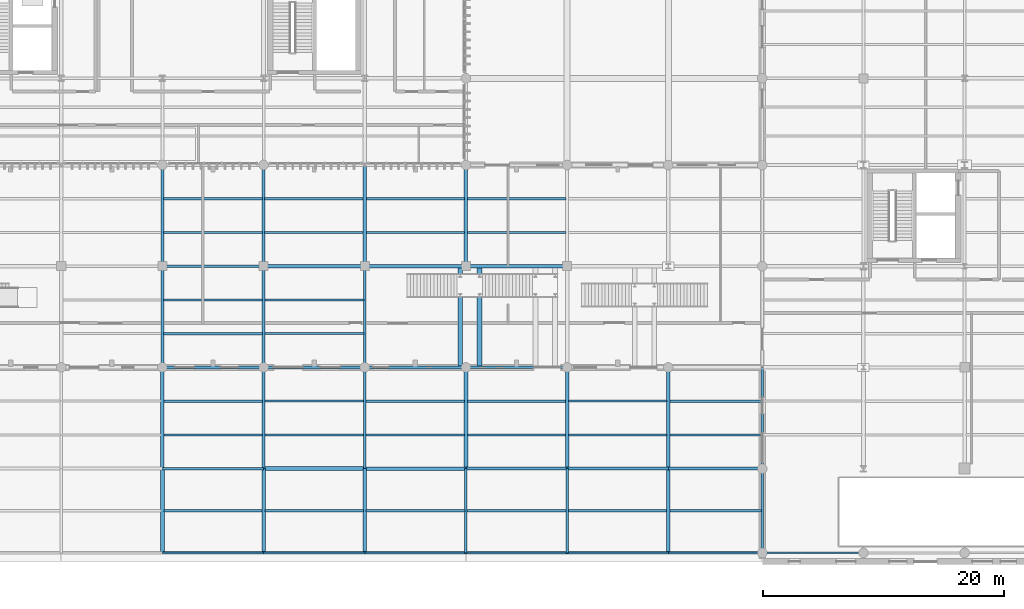
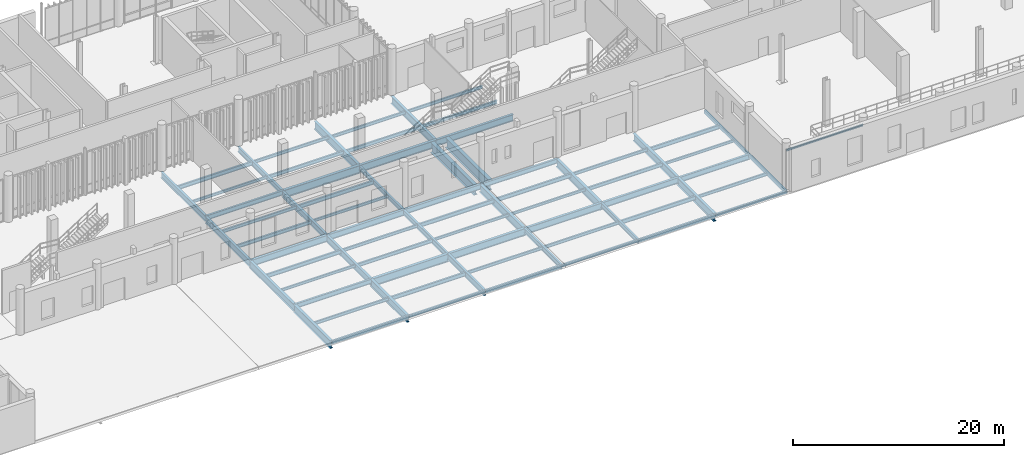
# One storey, part 42 of 112: 74 beams.
"""IFC4 building model written with IfcOpenShell, lengths in metres."""

from ifc_helpers import new_model, si_unit, direction, frame, origin_with_axes, origin_2d_with_axis, place, context, subcontext, project, spatial, hollow_rectangle, i_section, extrude, material, material_profile, profile_set, type_object, element, save


model = new_model("IFC4")

# Units and contexts
model_context = context("Model", 3, precision=1e-05, world=origin_with_axes(), true_north=direction((0.0, 1.0)))
body_context = subcontext(model_context, "Body", "Model", "MODEL_VIEW")
ifc_project = project(units=[si_unit("LENGTHUNIT", "METRE"), si_unit("AREAUNIT", "SQUARE_METRE"), si_unit("VOLUMEUNIT", "CUBIC_METRE"), si_unit("PLANEANGLEUNIT", "RADIAN"), si_unit("MASSUNIT", "GRAM", prefix="KILO"), si_unit("THERMODYNAMICTEMPERATUREUNIT", "KELVIN")], contexts=[model_context])

# Site, building, storey
site_placement = place(None, origin_with_axes())
site = spatial("IfcSite", under=ifc_project, at=site_placement, CompositionType="ELEMENT")
building_placement = place(site_placement, origin_with_axes())
building = spatial("IfcBuilding", under=site, at=building_placement, Name="Montbau Bow Law Courts", CompositionType="ELEMENT")
storey_placement = place(building_placement, origin_with_axes())
storey = spatial("IfcBuildingStorey", under=building, at=storey_placement, Name="L00", CompositionType="ELEMENT", Elevation=0.0)

# Beams
ifc_material_1 = material(Name="Steel CSA G40.21 Grade 350W (350 MPa)", Category="steel")
ifc_material_profile_1 = material_profile(ifc_material_1, i_section(OverallWidth=0.306, OverallDepth=0.919, WebThickness=0.0173, FlangeThickness=0.0279, at=origin_2d_with_axis()), Name="W920X253", Category="Main", Priority=0)
ifc_profile_set_1 = profile_set([ifc_material_profile_1], Name="Steel CSA G40.21 Grade 350W (350 MPa)")
beam_type_1 = type_object("IfcBeamType", Name="B-FLR-01", PredefinedType="BEAM", material=ifc_profile_set_1)
for number, where, z_axis, x_axis, name in (
    (1, (80.4, 13.8, -0.75), (1.0, 0.0, 0.0), (0.0, 1.0, 0.0), "BM-L00-S0150:bm2_0153"),
    (2, (80.4, 30.6, -0.7), (1.0, 0.0, 0.0), (0.0, 1.0, 0.0), "BM-L00-S0178:bm2_0181"),
):
    element("IfcBeam", number, at=place(None, frame(where, z_axis=z_axis, x_axis=x_axis)), inside=storey, type_object=beam_type_1, Name=name, PredefinedType="BEAM", context=body_context, shape_type="SweptSolid", body=[
        extrude(i_section(OverallWidth=0.306, OverallDepth=0.919, WebThickness=0.0173, FlangeThickness=0.0279, at=origin_2d_with_axis()), origin_with_axes(), (0.0, 0.0, 1.0), 8.4),
    ])
beam_1_placement = place(None, frame((72.0, 6.8, -0.75), z_axis=(0.0, 1.0, 0.0), x_axis=(-1.0, 0.0, 0.0)))
element("IfcBeam", 3, at=beam_1_placement, inside=storey, type_object=beam_type_1, Name="BM-L00-S0287:bm2_0290", PredefinedType="BEAM", context=body_context, shape_type="SweptSolid", body=[
    extrude(i_section(OverallWidth=0.306, OverallDepth=0.919, WebThickness=0.0173, FlangeThickness=0.0279, at=origin_2d_with_axis()), origin_with_axes(), (0.0, 0.0, 1.0), 7.0),
])
for number, where, z_axis, x_axis, name in (
    (4, (88.8, 30.6, -0.7), (0.0, 1.0, 0.0), (-1.0, 0.0, 0.0), "BM-L00-S0303:bm2_0306"),
    (5, (97.2, 13.8, -0.75), (0.0, 1.0, 0.0), (-1.0, 0.0, 0.0), "BM-L00-S0308:bm2_0311"),
    (6, (105.6, 13.8, -0.75), (0.0, 1.0, 0.0), (-1.0, 0.0, 0.0), "BM-L00-S0313:bm2_0316"),
):
    element("IfcBeam", number, at=place(None, frame(where, z_axis=z_axis, x_axis=x_axis)), inside=storey, type_object=beam_type_1, Name=name, PredefinedType="BEAM", context=body_context, shape_type="SweptSolid", body=[
        extrude(i_section(OverallWidth=0.306, OverallDepth=0.919, WebThickness=0.0173, FlangeThickness=0.0279, at=origin_2d_with_axis()), origin_with_axes(), (0.0, 0.0, 1.0), 8.4),
    ])
beam_2_placement = place(None, frame((114.0, 6.8, -0.75), z_axis=(0.0, 1.0, 0.0), x_axis=(-1.0, 0.0, 0.0)))
element("IfcBeam", 7, at=beam_2_placement, inside=storey, type_object=beam_type_1, Name="BM-L00-S0318:bm2_0321", PredefinedType="BEAM", context=body_context, shape_type="SweptSolid", body=[
    extrude(i_section(OverallWidth=0.306, OverallDepth=0.919, WebThickness=0.0173, FlangeThickness=0.0279, at=origin_2d_with_axis()), origin_with_axes(), (0.0, 0.0, 1.0), 7.0),
])
ifc_material_profile_2 = material_profile(ifc_material_1, i_section(OverallWidth=0.293, OverallDepth=0.846, WebThickness=0.0154, FlangeThickness=0.0244, at=origin_2d_with_axis()), Name="W840X210", Category="Main", Priority=0)
ifc_profile_set_2 = profile_set([ifc_material_profile_2], Name="Steel CSA G40.21 Grade 350W (350 MPa)")
beam_type_2 = type_object("IfcBeamType", Name="B-FLR-02", PredefinedType="BEAM", material=ifc_profile_set_2)
for number, where, z_axis, x_axis, name in (
    (8, (88.8, 13.8, -0.713), (1.0, 0.0, 0.0), (0.0, 1.0, 0.0), "BM-L00-S0151:bm2_0154"),
    (9, (88.8, 30.6, -0.663), (1.0, 0.0, 0.0), (0.0, 1.0, 0.0), "BM-L00-S0179:bm2_0182"),
    (10, (72.0, 13.8, -0.713), (0.0, 1.0, 0.0), (-1.0, 0.0, 0.0), "BM-L00-S0288:bm2_0291"),
):
    element("IfcBeam", number, at=place(None, frame(where, z_axis=z_axis, x_axis=x_axis)), inside=storey, type_object=beam_type_2, Name=name, PredefinedType="BEAM", context=body_context, shape_type="SweptSolid", body=[
        extrude(i_section(OverallWidth=0.293, OverallDepth=0.846, WebThickness=0.0154, FlangeThickness=0.0244, at=origin_2d_with_axis()), origin_with_axes(), (0.0, 0.0, 1.0), 8.4),
    ])
beam_3_placement = place(None, frame((80.4, 6.8, -0.713), z_axis=(0.0, 1.0, 0.0), x_axis=(-1.0, 0.0, 0.0)))
element("IfcBeam", 11, at=beam_3_placement, inside=storey, type_object=beam_type_2, Name="BM-L00-S0293:bm2_0296", PredefinedType="BEAM", context=body_context, shape_type="SweptSolid", body=[
    extrude(i_section(OverallWidth=0.293, OverallDepth=0.846, WebThickness=0.0154, FlangeThickness=0.0244, at=origin_2d_with_axis()), origin_with_axes(), (0.0, 0.0, 1.0), 7.0),
])
for number, where, z_axis, x_axis, name in (
    (12, (97.2, 30.6, -0.713), (0.0, 1.0, 0.0), (-1.0, 0.0, 0.0), "BM-L00-S0309:bm2_0312"),
    (13, (114.0, 13.8, -0.713), (0.0, 1.0, 0.0), (-1.0, 0.0, 0.0), "BM-L00-S0319:bm2_0322"),
):
    element("IfcBeam", number, at=place(None, frame(where, z_axis=z_axis, x_axis=x_axis)), inside=storey, type_object=beam_type_2, Name=name, PredefinedType="BEAM", context=body_context, shape_type="SweptSolid", body=[
        extrude(i_section(OverallWidth=0.293, OverallDepth=0.846, WebThickness=0.0154, FlangeThickness=0.0244, at=origin_2d_with_axis()), origin_with_axes(), (0.0, 0.0, 1.0), 8.4),
    ])
ifc_material_profile_3 = material_profile(ifc_material_1, i_section(OverallWidth=0.267, OverallDepth=0.766, WebThickness=0.0149, FlangeThickness=0.0236, at=origin_2d_with_axis()), Name="W760X185", Category="Main", Priority=0)
ifc_profile_set_3 = profile_set([ifc_material_profile_3], Name="Steel CSA G40.21 Grade 350W (350 MPa)")
beam_type_3 = type_object("IfcBeamType", Name="B-FLR-03", PredefinedType="BEAM", material=ifc_profile_set_3)
for number, where, z_axis, x_axis, name in (
    (14, (97.2, 13.8, -0.673), (1.0, 0.0, 0.0), (0.0, 1.0, 0.0), "BM-L00-S0152:bm2_0155"),
    (15, (72.0, 22.2, -0.673), (1.0, 0.0, 0.0), (0.0, 1.0, 0.0), "BM-L00-S0163:bm2_0166"),
    (16, (97.2, 30.6, -0.623), (1.0, 0.0, 0.0), (0.0, 1.0, 0.0), "BM-L00-S0180:bm2_0183"),
    (17, (72.0, 22.2, -0.673), (0.0, 1.0, 0.0), (-1.0, 0.0, 0.0), "BM-L00-S0289:bm2_0292"),
    (18, (80.4, 13.8, -0.673), (0.0, 1.0, 0.0), (-1.0, 0.0, 0.0), "BM-L00-S0294:bm2_0297"),
):
    element("IfcBeam", number, at=place(None, frame(where, z_axis=z_axis, x_axis=x_axis)), inside=storey, type_object=beam_type_3, Name=name, PredefinedType="BEAM", context=body_context, shape_type="SweptSolid", body=[
        extrude(i_section(OverallWidth=0.267, OverallDepth=0.766, WebThickness=0.0149, FlangeThickness=0.0236, at=origin_2d_with_axis()), origin_with_axes(), (0.0, 0.0, 1.0), 8.4),
    ])
ifc_material_profile_4 = material_profile(ifc_material_1, i_section(OverallWidth=0.254, OverallDepth=0.688, WebThickness=0.0131, FlangeThickness=0.0211, at=origin_2d_with_axis()), Name="W690X152", Category="Main", Priority=0)
ifc_profile_set_4 = profile_set([ifc_material_profile_4], Name="Steel CSA G40.21 Grade 350W (350 MPa)")
beam_type_4 = type_object("IfcBeamType", Name="B-FLR-04", PredefinedType="BEAM", material=ifc_profile_set_4)
for number, where, z_axis, x_axis, name in (
    (19, (105.6, 13.8, -0.634), (1.0, 0.0, 0.0), (0.0, 1.0, 0.0), "BM-L00-S0153:bm2_0156"),
    (20, (80.4, 22.2, -0.634), (1.0, 0.0, 0.0), (0.0, 1.0, 0.0), "BM-L00-S0164:bm2_0167"),
    (21, (72.0, 30.6, -0.584), (0.0, 1.0, 0.0), (-1.0, 0.0, 0.0), "BM-L00-S0290:bm2_0293"),
    (22, (80.4, 22.2, -0.634), (0.0, 1.0, 0.0), (-1.0, 0.0, 0.0), "BM-L00-S0295:bm2_0298"),
):
    element("IfcBeam", number, at=place(None, frame(where, z_axis=z_axis, x_axis=x_axis)), inside=storey, type_object=beam_type_4, Name=name, PredefinedType="BEAM", context=body_context, shape_type="SweptSolid", body=[
        extrude(i_section(OverallWidth=0.254, OverallDepth=0.688, WebThickness=0.0131, FlangeThickness=0.0211, at=origin_2d_with_axis()), origin_with_axes(), (0.0, 0.0, 1.0), 8.4),
    ])
beam_4_placement = place(None, frame((88.8, 6.8, -0.634), z_axis=(0.0, 1.0, 0.0), x_axis=(-1.0, 0.0, 0.0)))
element("IfcBeam", 23, at=beam_4_placement, inside=storey, type_object=beam_type_4, Name="BM-L00-S0300:bm2_0303", PredefinedType="BEAM", context=body_context, shape_type="SweptSolid", body=[
    extrude(i_section(OverallWidth=0.254, OverallDepth=0.688, WebThickness=0.0131, FlangeThickness=0.0211, at=origin_2d_with_axis()), origin_with_axes(), (0.0, 0.0, 1.0), 7.0),
])
ifc_material_profile_5 = material_profile(ifc_material_1, i_section(OverallWidth=0.229, OverallDepth=0.612, WebThickness=0.0119, FlangeThickness=0.0196, at=origin_2d_with_axis()), Name="W610X125", Category="Main", Priority=0)
ifc_profile_set_5 = profile_set([ifc_material_profile_5], Name="Steel CSA G40.21 Grade 350W (350 MPa)")
beam_type_5 = type_object("IfcBeamType", Name="B-FLR-05", PredefinedType="BEAM", material=ifc_profile_set_5)
beam_5_placement = place(None, frame((114.0, 13.8, -0.646), z_axis=(1.0, 0.0, 0.0), x_axis=(0.0, 1.0, 0.0)))
element("IfcBeam", 24, at=beam_5_placement, inside=storey, type_object=beam_type_5, Name="BM-L00-S0154:bm2_0157", PredefinedType="BEAM", context=body_context, shape_type="SweptSolid", body=[
    extrude(i_section(OverallWidth=0.229, OverallDepth=0.612, WebThickness=0.0119, FlangeThickness=0.0196, at=origin_2d_with_axis()), origin_with_axes(), (0.0, 0.0, 1.0), 7.8),
])
for number, where, z_axis, x_axis, name in (
    (25, (88.8, 22.2, -0.596), (1.0, 0.0, 0.0), (0.0, 1.0, 0.0), "BM-L00-S0165:bm2_0168"),
    (26, (80.4, 30.6, -0.546), (0.0, 1.0, 0.0), (-1.0, 0.0, 0.0), "BM-L00-S0296:bm2_0299"),
    (27, (88.8, 13.8, -0.596), (0.0, 1.0, 0.0), (-1.0, 0.0, 0.0), "BM-L00-S0301:bm2_0304"),
):
    element("IfcBeam", number, at=place(None, frame(where, z_axis=z_axis, x_axis=x_axis)), inside=storey, type_object=beam_type_5, Name=name, PredefinedType="BEAM", context=body_context, shape_type="SweptSolid", body=[
        extrude(i_section(OverallWidth=0.229, OverallDepth=0.612, WebThickness=0.0119, FlangeThickness=0.0196, at=origin_2d_with_axis()), origin_with_axes(), (0.0, 0.0, 1.0), 8.4),
    ])
ifc_material_profile_6 = material_profile(ifc_material_1, i_section(OverallWidth=0.21, OverallDepth=0.537, WebThickness=0.0109, FlangeThickness=0.0174, at=origin_2d_with_axis()), Name="W530X101", Category="Main", Priority=0)
ifc_profile_set_6 = profile_set([ifc_material_profile_6], Name="Steel CSA G40.21 Grade 350W (350 MPa)")
beam_type_6 = type_object("IfcBeamType", Name="B-FLR-06", PredefinedType="BEAM", material=ifc_profile_set_6)
for number, where, z_axis, x_axis, name in (
    (28, (72.0, 13.8, -0.558), (1.0, 0.0, 0.0), (0.0, 1.0, 0.0), "BM-L00-S0149:bm2_0152"),
    (29, (97.2, 22.2, -0.558), (1.0, 0.0, 0.0), (0.0, 1.0, 0.0), "BM-L00-S0166:bm2_0169"),
    (30, (72.0, 30.6, -0.508), (1.0, 0.0, 0.0), (0.0, 1.0, 0.0), "BM-L00-S0177:bm2_0180"),
    (31, (88.8, 22.2, -0.558), (0.0, 1.0, 0.0), (-1.0, 0.0, 0.0), "BM-L00-S0302:bm2_0305"),
):
    element("IfcBeam", number, at=place(None, frame(where, z_axis=z_axis, x_axis=x_axis)), inside=storey, type_object=beam_type_6, Name=name, PredefinedType="BEAM", context=body_context, shape_type="SweptSolid", body=[
        extrude(i_section(OverallWidth=0.21, OverallDepth=0.537, WebThickness=0.0109, FlangeThickness=0.0174, at=origin_2d_with_axis()), origin_with_axes(), (0.0, 0.0, 1.0), 8.4),
    ])
for number, where, z_axis, x_axis, name in (
    (32, (97.2, 6.8, -0.558), (0.0, 1.0, 0.0), (-1.0, 0.0, 0.0), "BM-L00-S0307:bm2_0310"),
    (33, (105.6, 6.8, -0.558), (0.0, 1.0, 0.0), (-1.0, 0.0, 0.0), "BM-L00-S0312:bm2_0315"),
):
    element("IfcBeam", number, at=place(None, frame(where, z_axis=z_axis, x_axis=x_axis)), inside=storey, type_object=beam_type_6, Name=name, PredefinedType="BEAM", context=body_context, shape_type="SweptSolid", body=[
        extrude(i_section(OverallWidth=0.21, OverallDepth=0.537, WebThickness=0.0109, FlangeThickness=0.0174, at=origin_2d_with_axis()), origin_with_axes(), (0.0, 0.0, 1.0), 7.0),
    ])
ifc_material_profile_7 = material_profile(ifc_material_1, i_section(OverallWidth=0.191, OverallDepth=0.46, WebThickness=0.0099, FlangeThickness=0.016, at=origin_2d_with_axis()), Name="W460X82", Category="Main", Priority=0)
ifc_profile_set_7 = profile_set([ifc_material_profile_7], Name="Steel CSA G40.21 Grade 350W (350 MPa)")
beam_type_7 = type_object("IfcBeamType", Name="B-JST-01", PredefinedType="JOIST", material=ifc_profile_set_7)
beam_6_placement = place(None, frame((72.123, 19.4, -0.52), z_axis=(1.0, 0.0, 0.0), x_axis=(0.0, 1.0, 0.0)))
element("IfcBeam", 34, at=beam_6_placement, inside=storey, type_object=beam_type_7, Name="JST-L00-S0072:jst2_0072", PredefinedType="JOIST", context=body_context, shape_type="SweptSolid", body=[
    extrude(i_section(OverallWidth=0.191, OverallDepth=0.46, WebThickness=0.0099, FlangeThickness=0.016, at=origin_2d_with_axis()), origin_with_axes(), (0.0, 0.0, 1.0), 8.168),
])
beam_7_placement = place(None, frame((72.103, 36.2, -0.47), z_axis=(1.0, 0.0, 0.0), x_axis=(0.0, 1.0, 0.0)))
element("IfcBeam", 35, at=beam_7_placement, inside=storey, type_object=beam_type_7, Name="JST-L00-S0076:jst2_0076", PredefinedType="JOIST", context=body_context, shape_type="SweptSolid", body=[
    extrude(i_section(OverallWidth=0.191, OverallDepth=0.46, WebThickness=0.0099, FlangeThickness=0.016, at=origin_2d_with_axis()), origin_with_axes(), (0.0, 0.0, 1.0), 8.206),
])
beam_8_placement = place(None, frame((80.523, 10.3, -0.52), z_axis=(1.0, 0.0, 0.0), x_axis=(0.0, 1.0, 0.0)))
element("IfcBeam", 36, at=beam_8_placement, inside=storey, type_object=beam_type_7, Name="JST-L00-S0080:jst2_0080", PredefinedType="JOIST", context=body_context, shape_type="SweptSolid", body=[
    extrude(i_section(OverallWidth=0.191, OverallDepth=0.46, WebThickness=0.0099, FlangeThickness=0.016, at=origin_2d_with_axis()), origin_with_axes(), (0.0, 0.0, 1.0), 8.174),
])
beam_9_placement = place(None, frame((80.503, 27.8, -0.52), z_axis=(1.0, 0.0, 0.0), x_axis=(0.0, 1.0, 0.0)))
element("IfcBeam", 37, at=beam_9_placement, inside=storey, type_object=beam_type_7, Name="JST-L00-S0084:jst2_0084", PredefinedType="JOIST", context=body_context, shape_type="SweptSolid", body=[
    extrude(i_section(OverallWidth=0.191, OverallDepth=0.46, WebThickness=0.0099, FlangeThickness=0.016, at=origin_2d_with_axis()), origin_with_axes(), (0.0, 0.0, 1.0), 8.216),
])
beam_10_placement = place(None, frame((88.891, 19.4, -0.52), z_axis=(1.0, 0.0, 0.0), x_axis=(0.0, 1.0, 0.0)))
element("IfcBeam", 38, at=beam_10_placement, inside=storey, type_object=beam_type_7, Name="JST-L00-S0092:jst2_0092", PredefinedType="JOIST", context=body_context, shape_type="SweptSolid", body=[
    extrude(i_section(OverallWidth=0.191, OverallDepth=0.46, WebThickness=0.0099, FlangeThickness=0.016, at=origin_2d_with_axis()), origin_with_axes(), (0.0, 0.0, 1.0), 8.18),
])
beam_11_placement = place(None, frame((97.329, 19.4, -0.52), z_axis=(1.0, 0.0, 0.0), x_axis=(0.0, 1.0, 0.0)))
element("IfcBeam", 39, at=beam_11_placement, inside=storey, type_object=beam_type_7, Name="JST-L00-S0100:jst2_0100", PredefinedType="JOIST", context=body_context, shape_type="SweptSolid", body=[
    extrude(i_section(OverallWidth=0.191, OverallDepth=0.46, WebThickness=0.0099, FlangeThickness=0.016, at=origin_2d_with_axis()), origin_with_axes(), (0.0, 0.0, 1.0), 8.142),
])
beam_12_placement = place(None, frame((105.681, 10.3, -0.52), z_axis=(1.0, 0.0, 0.0), x_axis=(0.0, 1.0, 0.0)))
element("IfcBeam", 40, at=beam_12_placement, inside=storey, type_object=beam_type_7, Name="JST-L00-S0104:jst2_0104", PredefinedType="JOIST", context=body_context, shape_type="SweptSolid", body=[
    extrude(i_section(OverallWidth=0.191, OverallDepth=0.46, WebThickness=0.0099, FlangeThickness=0.016, at=origin_2d_with_axis()), origin_with_axes(), (0.0, 0.0, 1.0), 8.19),
])
beam_13_placement = place(None, frame((114.123, 19.4, -0.57), z_axis=(1.0, 0.0, 0.0), x_axis=(0.0, 1.0, 0.0)))
element("IfcBeam", 41, at=beam_13_placement, inside=storey, type_object=beam_type_7, Name="JST-L00-S0112:jst2_0112", PredefinedType="JOIST", context=body_context, shape_type="SweptSolid", body=[
    extrude(i_section(OverallWidth=0.191, OverallDepth=0.46, WebThickness=0.0099, FlangeThickness=0.016, at=origin_2d_with_axis()), origin_with_axes(), (0.0, 0.0, 1.0), 7.597),
])
ifc_material_profile_8 = material_profile(ifc_material_1, i_section(OverallWidth=0.179, OverallDepth=0.41, WebThickness=0.0088, FlangeThickness=0.0144, at=origin_2d_with_axis()), Name="W410X67", Category="Main", Priority=0)
ifc_profile_set_8 = profile_set([ifc_material_profile_8], Name="Steel CSA G40.21 Grade 350W (350 MPa)")
beam_type_8 = type_object("IfcBeamType", Name="B-JST-02", PredefinedType="JOIST", material=ifc_profile_set_8)
beam_14_placement = place(None, frame((72.109, 25.0, -0.495), z_axis=(1.0, 0.0, 0.0), x_axis=(0.0, 1.0, 0.0)))
element("IfcBeam", 42, at=beam_14_placement, inside=storey, type_object=beam_type_8, Name="JST-L00-S0073:jst2_0073", PredefinedType="JOIST", context=body_context, shape_type="SweptSolid", body=[
    extrude(i_section(OverallWidth=0.179, OverallDepth=0.41, WebThickness=0.0088, FlangeThickness=0.0144, at=origin_2d_with_axis()), origin_with_axes(), (0.0, 0.0, 1.0), 8.188),
])
beam_15_placement = place(None, frame((80.51, 16.6, -0.495), z_axis=(1.0, 0.0, 0.0), x_axis=(0.0, 1.0, 0.0)))
element("IfcBeam", 43, at=beam_15_placement, inside=storey, type_object=beam_type_8, Name="JST-L00-S0081:jst2_0081", PredefinedType="JOIST", context=body_context, shape_type="SweptSolid", body=[
    extrude(i_section(OverallWidth=0.179, OverallDepth=0.41, WebThickness=0.0088, FlangeThickness=0.0144, at=origin_2d_with_axis()), origin_with_axes(), (0.0, 0.0, 1.0), 8.199),
])
beam_16_placement = place(None, frame((80.491, 33.4, -0.445), z_axis=(1.0, 0.0, 0.0), x_axis=(0.0, 1.0, 0.0)))
element("IfcBeam", 44, at=beam_16_placement, inside=storey, type_object=beam_type_8, Name="JST-L00-S0085:jst2_0085", PredefinedType="JOIST", context=body_context, shape_type="SweptSolid", body=[
    extrude(i_section(OverallWidth=0.179, OverallDepth=0.41, WebThickness=0.0088, FlangeThickness=0.0144, at=origin_2d_with_axis()), origin_with_axes(), (0.0, 0.0, 1.0), 8.18),
])
beam_17_placement = place(None, frame((88.929, 33.4, -0.495), z_axis=(1.0, 0.0, 0.0), x_axis=(0.0, 1.0, 0.0)))
element("IfcBeam", 45, at=beam_17_placement, inside=storey, type_object=beam_type_8, Name="JST-L00-S0093:jst2_0093", PredefinedType="JOIST", context=body_context, shape_type="SweptSolid", body=[
    extrude(i_section(OverallWidth=0.179, OverallDepth=0.41, WebThickness=0.0088, FlangeThickness=0.0144, at=origin_2d_with_axis()), origin_with_axes(), (0.0, 0.0, 1.0), 8.149),
])
beam_18_placement = place(None, frame((97.323, 33.4, -0.495), z_axis=(1.0, 0.0, 0.0), x_axis=(0.0, 1.0, 0.0)))
element("IfcBeam", 46, at=beam_18_placement, inside=storey, type_object=beam_type_8, Name="JST-L00-S0101:jst2_0101", PredefinedType="JOIST", context=body_context, shape_type="SweptSolid", body=[
    extrude(i_section(OverallWidth=0.179, OverallDepth=0.41, WebThickness=0.0088, FlangeThickness=0.0144, at=origin_2d_with_axis()), origin_with_axes(), (0.0, 0.0, 1.0), 8.167),
])
beam_19_placement = place(None, frame((105.729, 16.6, -0.495), z_axis=(1.0, 0.0, 0.0), x_axis=(0.0, 1.0, 0.0)))
element("IfcBeam", 47, at=beam_19_placement, inside=storey, type_object=beam_type_8, Name="JST-L00-S0105:jst2_0105", PredefinedType="JOIST", context=body_context, shape_type="SweptSolid", body=[
    extrude(i_section(OverallWidth=0.179, OverallDepth=0.41, WebThickness=0.0088, FlangeThickness=0.0144, at=origin_2d_with_axis()), origin_with_axes(), (0.0, 0.0, 1.0), 8.148),
])
ifc_material_profile_9 = material_profile(ifc_material_1, i_section(OverallWidth=0.172, OverallDepth=0.358, WebThickness=0.0079, FlangeThickness=0.0131, at=origin_2d_with_axis()), Name="W360X57", Category="Main", Priority=0)
ifc_profile_set_9 = profile_set([ifc_material_profile_9], Name="Steel CSA G40.21 Grade 350W (350 MPa)")
beam_type_9 = type_object("IfcBeamType", Name="B-JST-03", PredefinedType="JOIST", material=ifc_profile_set_9)
beam_20_placement = place(None, frame((72.129, 10.3, -0.469), z_axis=(1.0, 0.0, 0.0), x_axis=(0.0, 1.0, 0.0)))
element("IfcBeam", 48, at=beam_20_placement, inside=storey, type_object=beam_type_9, Name="JST-L00-S0070:jst2_0070", PredefinedType="JOIST", context=body_context, shape_type="SweptSolid", body=[
    extrude(i_section(OverallWidth=0.172, OverallDepth=0.358, WebThickness=0.0079, FlangeThickness=0.0131, at=origin_2d_with_axis()), origin_with_axes(), (0.0, 0.0, 1.0), 8.149),
])
beam_21_placement = place(None, frame((72.109, 27.8, -0.469), z_axis=(1.0, 0.0, 0.0), x_axis=(0.0, 1.0, 0.0)))
element("IfcBeam", 49, at=beam_21_placement, inside=storey, type_object=beam_type_9, Name="JST-L00-S0074:jst2_0074", PredefinedType="JOIST", context=body_context, shape_type="SweptSolid", body=[
    extrude(i_section(OverallWidth=0.172, OverallDepth=0.358, WebThickness=0.0079, FlangeThickness=0.0131, at=origin_2d_with_axis()), origin_with_axes(), (0.0, 0.0, 1.0), 8.188),
])
beam_22_placement = place(None, frame((80.51, 19.4, -0.469), z_axis=(1.0, 0.0, 0.0), x_axis=(0.0, 1.0, 0.0)))
element("IfcBeam", 50, at=beam_22_placement, inside=storey, type_object=beam_type_9, Name="JST-L00-S0082:jst2_0082", PredefinedType="JOIST", context=body_context, shape_type="SweptSolid", body=[
    extrude(i_section(OverallWidth=0.172, OverallDepth=0.358, WebThickness=0.0079, FlangeThickness=0.0131, at=origin_2d_with_axis()), origin_with_axes(), (0.0, 0.0, 1.0), 8.199),
])
beam_23_placement = place(None, frame((80.491, 36.2, -0.419), z_axis=(1.0, 0.0, 0.0), x_axis=(0.0, 1.0, 0.0)))
element("IfcBeam", 51, at=beam_23_placement, inside=storey, type_object=beam_type_9, Name="JST-L00-S0086:jst2_0086", PredefinedType="JOIST", context=body_context, shape_type="SweptSolid", body=[
    extrude(i_section(OverallWidth=0.172, OverallDepth=0.358, WebThickness=0.0079, FlangeThickness=0.0131, at=origin_2d_with_axis()), origin_with_axes(), (0.0, 0.0, 1.0), 8.18),
])
beam_24_placement = place(None, frame((88.903, 10.3, -0.469), z_axis=(1.0, 0.0, 0.0), x_axis=(0.0, 1.0, 0.0)))
element("IfcBeam", 52, at=beam_24_placement, inside=storey, type_object=beam_type_9, Name="JST-L00-S0090:jst2_0090", PredefinedType="JOIST", context=body_context, shape_type="SweptSolid", body=[
    extrude(i_section(OverallWidth=0.172, OverallDepth=0.358, WebThickness=0.0079, FlangeThickness=0.0131, at=origin_2d_with_axis()), origin_with_axes(), (0.0, 0.0, 1.0), 8.216),
])
beam_25_placement = place(None, frame((88.929, 36.2, -0.469), z_axis=(1.0, 0.0, 0.0), x_axis=(0.0, 1.0, 0.0)))
element("IfcBeam", 53, at=beam_25_placement, inside=storey, type_object=beam_type_9, Name="JST-L00-S0094:jst2_0094", PredefinedType="JOIST", context=body_context, shape_type="SweptSolid", body=[
    extrude(i_section(OverallWidth=0.172, OverallDepth=0.358, WebThickness=0.0079, FlangeThickness=0.0131, at=origin_2d_with_axis()), origin_with_axes(), (0.0, 0.0, 1.0), 8.149),
])
beam_26_placement = place(None, frame((97.281, 10.3, -0.469), z_axis=(1.0, 0.0, 0.0), x_axis=(0.0, 1.0, 0.0)))
element("IfcBeam", 54, at=beam_26_placement, inside=storey, type_object=beam_type_9, Name="JST-L00-S0098:jst2_0098", PredefinedType="JOIST", context=body_context, shape_type="SweptSolid", body=[
    extrude(i_section(OverallWidth=0.172, OverallDepth=0.358, WebThickness=0.0079, FlangeThickness=0.0131, at=origin_2d_with_axis()), origin_with_axes(), (0.0, 0.0, 1.0), 8.238),
])
beam_27_placement = place(None, frame((97.323, 36.2, -0.469), z_axis=(1.0, 0.0, 0.0), x_axis=(0.0, 1.0, 0.0)))
element("IfcBeam", 55, at=beam_27_placement, inside=storey, type_object=beam_type_9, Name="JST-L00-S0102:jst2_0102", PredefinedType="JOIST", context=body_context, shape_type="SweptSolid", body=[
    extrude(i_section(OverallWidth=0.172, OverallDepth=0.358, WebThickness=0.0079, FlangeThickness=0.0131, at=origin_2d_with_axis()), origin_with_axes(), (0.0, 0.0, 1.0), 8.167),
])
beam_28_placement = place(None, frame((105.729, 19.4, -0.469), z_axis=(1.0, 0.0, 0.0), x_axis=(0.0, 1.0, 0.0)))
element("IfcBeam", 56, at=beam_28_placement, inside=storey, type_object=beam_type_9, Name="JST-L00-S0106:jst2_0106", PredefinedType="JOIST", context=body_context, shape_type="SweptSolid", body=[
    extrude(i_section(OverallWidth=0.172, OverallDepth=0.358, WebThickness=0.0079, FlangeThickness=0.0131, at=origin_2d_with_axis()), origin_with_axes(), (0.0, 0.0, 1.0), 8.148),
])
beam_29_placement = place(None, frame((114.129, 10.3, -0.519), z_axis=(1.0, 0.0, 0.0), x_axis=(0.0, 1.0, 0.0)))
element("IfcBeam", 57, at=beam_29_placement, inside=storey, type_object=beam_type_9, Name="JST-L00-S0110:jst2_0110", PredefinedType="JOIST", context=body_context, shape_type="SweptSolid", body=[
    extrude(i_section(OverallWidth=0.172, OverallDepth=0.358, WebThickness=0.0079, FlangeThickness=0.0131, at=origin_2d_with_axis()), origin_with_axes(), (0.0, 0.0, 1.0), 7.591),
])
ifc_material_profile_10 = material_profile(ifc_material_1, i_section(OverallWidth=0.166, OverallDepth=0.313, WebThickness=0.0066, FlangeThickness=0.0112, at=origin_2d_with_axis()), Name="W310X45", Category="Main", Priority=0)
ifc_profile_set_10 = profile_set([ifc_material_profile_10], Name="Steel CSA G40.21 Grade 350W (350 MPa)")
beam_type_10 = type_object("IfcBeamType", Name="B-JST-04", PredefinedType="JOIST", material=ifc_profile_set_10)
beam_30_placement = place(None, frame((72.123, 16.6, -0.447), z_axis=(1.0, 0.0, 0.0), x_axis=(0.0, 1.0, 0.0)))
element("IfcBeam", 58, at=beam_30_placement, inside=storey, type_object=beam_type_10, Name="JST-L00-S0071:jst2_0071", PredefinedType="JOIST", context=body_context, shape_type="SweptSolid", body=[
    extrude(i_section(OverallWidth=0.166, OverallDepth=0.313, WebThickness=0.0066, FlangeThickness=0.0112, at=origin_2d_with_axis()), origin_with_axes(), (0.0, 0.0, 1.0), 8.168),
])
beam_31_placement = place(None, frame((72.103, 33.4, -0.396), z_axis=(1.0, 0.0, 0.0), x_axis=(0.0, 1.0, 0.0)))
element("IfcBeam", 59, at=beam_31_placement, inside=storey, type_object=beam_type_10, Name="JST-L00-S0075:jst2_0075", PredefinedType="JOIST", context=body_context, shape_type="SweptSolid", body=[
    extrude(i_section(OverallWidth=0.166, OverallDepth=0.313, WebThickness=0.0066, FlangeThickness=0.0112, at=origin_2d_with_axis()), origin_with_axes(), (0.0, 0.0, 1.0), 8.206),
])
beam_32_placement = place(None, frame((80.503, 25.0, -0.447), z_axis=(1.0, 0.0, 0.0), x_axis=(0.0, 1.0, 0.0)))
element("IfcBeam", 60, at=beam_32_placement, inside=storey, type_object=beam_type_10, Name="JST-L00-S0083:jst2_0083", PredefinedType="JOIST", context=body_context, shape_type="SweptSolid", body=[
    extrude(i_section(OverallWidth=0.166, OverallDepth=0.313, WebThickness=0.0066, FlangeThickness=0.0112, at=origin_2d_with_axis()), origin_with_axes(), (0.0, 0.0, 1.0), 8.216),
])
beam_33_placement = place(None, frame((88.891, 16.6, -0.447), z_axis=(1.0, 0.0, 0.0), x_axis=(0.0, 1.0, 0.0)))
element("IfcBeam", 61, at=beam_33_placement, inside=storey, type_object=beam_type_10, Name="JST-L00-S0091:jst2_0091", PredefinedType="JOIST", context=body_context, shape_type="SweptSolid", body=[
    extrude(i_section(OverallWidth=0.166, OverallDepth=0.313, WebThickness=0.0066, FlangeThickness=0.0112, at=origin_2d_with_axis()), origin_with_axes(), (0.0, 0.0, 1.0), 8.18),
])
beam_34_placement = place(None, frame((97.329, 16.6, -0.447), z_axis=(1.0, 0.0, 0.0), x_axis=(0.0, 1.0, 0.0)))
element("IfcBeam", 62, at=beam_34_placement, inside=storey, type_object=beam_type_10, Name="JST-L00-S0099:jst2_0099", PredefinedType="JOIST", context=body_context, shape_type="SweptSolid", body=[
    extrude(i_section(OverallWidth=0.166, OverallDepth=0.313, WebThickness=0.0066, FlangeThickness=0.0112, at=origin_2d_with_axis()), origin_with_axes(), (0.0, 0.0, 1.0), 8.142),
])
beam_35_placement = place(None, frame((114.123, 16.6, -0.497), z_axis=(1.0, 0.0, 0.0), x_axis=(0.0, 1.0, 0.0)))
element("IfcBeam", 63, at=beam_35_placement, inside=storey, type_object=beam_type_10, Name="JST-L00-S0111:jst2_0111", PredefinedType="JOIST", context=body_context, shape_type="SweptSolid", body=[
    extrude(i_section(OverallWidth=0.166, OverallDepth=0.313, WebThickness=0.0066, FlangeThickness=0.0112, at=origin_2d_with_axis()), origin_with_axes(), (0.0, 0.0, 1.0), 7.597),
])
ifc_material_profile_11 = material_profile(ifc_material_1, i_section(OverallWidth=0.134, OverallDepth=0.21, WebThickness=0.0064, FlangeThickness=0.0102, at=origin_2d_with_axis()), Name="W200X31", Category="Main", Priority=0)
ifc_profile_set_11 = profile_set([ifc_material_profile_11], Name="Steel CSA G40.21 Grade 350W (350 MPa)")
beam_type_11 = type_object("IfcBeamType", Name="B-LNT-02", PredefinedType="LINTEL", material=ifc_profile_set_11)
beam_36_placement = place(None, frame((121.8, 6.8, 4.3), z_axis=(1.0, 0.0, 0.0), x_axis=(0.0, 1.0, 0.0)))
element("IfcBeam", 64, at=beam_36_placement, inside=storey, type_object=beam_type_11, Name="LNT-L00-04:lnt_0004", PredefinedType="LINTEL", context=body_context, shape_type="SweptSolid", body=[
    extrude(i_section(OverallWidth=0.134, OverallDepth=0.21, WebThickness=0.0064, FlangeThickness=0.0102, at=origin_2d_with_axis()), origin_with_axes(), (0.0, 0.0, 1.0), 8.4),
])
ifc_material_2 = material(Name="Steel CSA G40.21 Grade 350WT (350 MPa)", Category="steel")
ifc_material_profile_12 = material_profile(ifc_material_2, hollow_rectangle(XDim=0.203, YDim=0.406, WallThickness=0.0127, InnerFilletRadius=0.0254, OuterFilletRadius=0.0127, at=origin_2d_with_axis()), Name="HSS406X203X13", Category="Main", Priority=0)
ifc_profile_set_12 = profile_set([ifc_material_profile_12], Name="Steel CSA G40.21 Grade 350WT (350 MPa)")
beam_type_12 = type_object("IfcBeamType", Name="B-SPN-01", PredefinedType="SPANDREL", material=ifc_profile_set_12)
for number, where, z_axis, x_axis, name in (
    (65, (72.0, 6.8, -0.493), (1.0, 0.0, 0.0), (0.0, 1.0, 0.0), "SPN-L00-S0135:bm2_0138"),
    (66, (88.8, 6.8, -0.493), (1.0, 0.0, 0.0), (0.0, 1.0, 0.0), "SPN-L00-S0137:bm2_0140"),
    (67, (105.6, 6.8, -0.493), (1.0, 0.0, 0.0), (0.0, 1.0, 0.0), "SPN-L00-S0139:bm2_0142"),
):
    element("IfcBeam", number, at=place(None, frame(where, z_axis=z_axis, x_axis=x_axis)), inside=storey, type_object=beam_type_12, Name=name, PredefinedType="SPANDREL", context=body_context, shape_type="SweptSolid", body=[
        extrude(hollow_rectangle(XDim=0.203, YDim=0.406, WallThickness=0.0127, InnerFilletRadius=0.0254, OuterFilletRadius=0.0127, at=origin_2d_with_axis()), origin_with_axes(), (0.0, 0.0, 1.0), 8.4),
    ])
beam_37_placement = place(None, frame((121.8, 6.8, -0.543), z_axis=(0.0, 1.0, 0.0), x_axis=(-1.0, 0.0, 0.0)))
element("IfcBeam", 68, at=beam_37_placement, inside=storey, type_object=beam_type_12, Name="SPN-L00-S0323:bm2_0326", PredefinedType="SPANDREL", context=body_context, shape_type="SweptSolid", body=[
    extrude(hollow_rectangle(XDim=0.203, YDim=0.406, WallThickness=0.0127, InnerFilletRadius=0.0254, OuterFilletRadius=0.0127, at=origin_2d_with_axis()), origin_with_axes(), (0.0, 0.0, 1.0), 7.0),
])
beam_38_placement = place(None, frame((121.8, 13.8, -0.543), z_axis=(0.0, 1.0, 0.0), x_axis=(-1.0, 0.0, 0.0)))
element("IfcBeam", 69, at=beam_38_placement, inside=storey, type_object=beam_type_12, Name="SPN-L00-S0324:bm2_0327", PredefinedType="SPANDREL", context=body_context, shape_type="SweptSolid", body=[
    extrude(hollow_rectangle(XDim=0.203, YDim=0.406, WallThickness=0.0127, InnerFilletRadius=0.0254, OuterFilletRadius=0.0127, at=origin_2d_with_axis()), origin_with_axes(), (0.0, 0.0, 1.0), 8.4),
])
ifc_material_profile_13 = material_profile(ifc_material_2, hollow_rectangle(XDim=0.203, YDim=0.305, WallThickness=0.0127, InnerFilletRadius=0.0254, OuterFilletRadius=0.0127, at=origin_2d_with_axis()), Name="HSS305X203X13", Category="Main", Priority=0)
ifc_profile_set_13 = profile_set([ifc_material_profile_13], Name="Steel CSA G40.21 Grade 350WT (350 MPa)")
beam_type_13 = type_object("IfcBeamType", Name="B-SPN-02", PredefinedType="SPANDREL", material=ifc_profile_set_13)
for number, where, z_axis, x_axis, name in (
    (70, (80.4, 6.8, -0.443), (1.0, 0.0, 0.0), (0.0, 1.0, 0.0), "SPN-L00-S0136:bm2_0139"),
    (71, (97.2, 6.8, -0.443), (1.0, 0.0, 0.0), (0.0, 1.0, 0.0), "SPN-L00-S0138:bm2_0141"),
):
    element("IfcBeam", number, at=place(None, frame(where, z_axis=z_axis, x_axis=x_axis)), inside=storey, type_object=beam_type_13, Name=name, PredefinedType="SPANDREL", context=body_context, shape_type="SweptSolid", body=[
        extrude(hollow_rectangle(XDim=0.203, YDim=0.305, WallThickness=0.0127, InnerFilletRadius=0.0254, OuterFilletRadius=0.0127, at=origin_2d_with_axis()), origin_with_axes(), (0.0, 0.0, 1.0), 8.4),
    ])
beam_39_placement = place(None, frame((114.0, 6.8, -0.493), z_axis=(1.0, 0.0, 0.0), x_axis=(0.0, 1.0, 0.0)))
element("IfcBeam", 72, at=beam_39_placement, inside=storey, type_object=beam_type_13, Name="SPN-L00-S0140:bm2_0143", PredefinedType="SPANDREL", context=body_context, shape_type="SweptSolid", body=[
    extrude(hollow_rectangle(XDim=0.203, YDim=0.305, WallThickness=0.0127, InnerFilletRadius=0.0254, OuterFilletRadius=0.0127, at=origin_2d_with_axis()), origin_with_axes(), (0.0, 0.0, 1.0), 7.8),
])
ifc_material_profile_14 = material_profile(ifc_material_1, i_section(OverallWidth=0.4, OverallDepth=1.2, WebThickness=0.016, FlangeThickness=0.035, at=origin_2d_with_axis()), Name="WWF1200X302", Category="Main", Priority=0)
ifc_profile_set_14 = profile_set([ifc_material_profile_14], Name="Steel CSA G40.21 Grade 350W (350 MPa)")
beam_type_14 = type_object("IfcBeamType", Name="B-TRG-05", PredefinedType="USERDEFINED", material=ifc_profile_set_14)
for number, where, z_axis, x_axis, name in (
    (73, (96.72, 22.275, -0.89), (0.0, 1.0, 0.0), (-1.0, 0.0, 0.0), "TRG-L00-S1798:bm2_1801"),
    (74, (98.33, 22.275, -0.89), (0.0, 1.0, 0.0), (-1.0, 0.0, 0.0), "TRG-L00-S1799:bm2_1802"),
):
    element("IfcBeam", number, at=place(None, frame(where, z_axis=z_axis, x_axis=x_axis)), inside=storey, type_object=beam_type_14, Name=name, ObjectType="GIRDER", PredefinedType="USERDEFINED", context=body_context, shape_type="SweptSolid", body=[
        extrude(i_section(OverallWidth=0.4, OverallDepth=1.2, WebThickness=0.016, FlangeThickness=0.035, at=origin_2d_with_axis()), origin_with_axes(), (0.0, 0.0, 1.0), 8.25),
    ])

save(model, "model.ifc")
